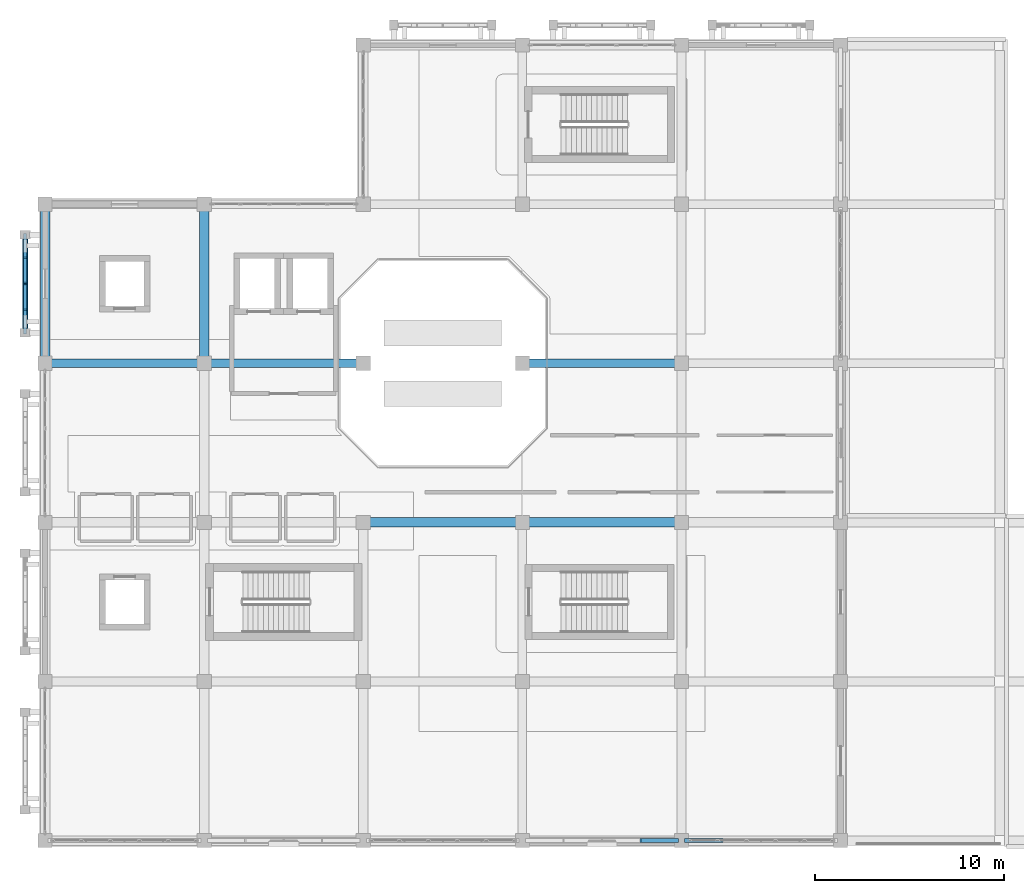
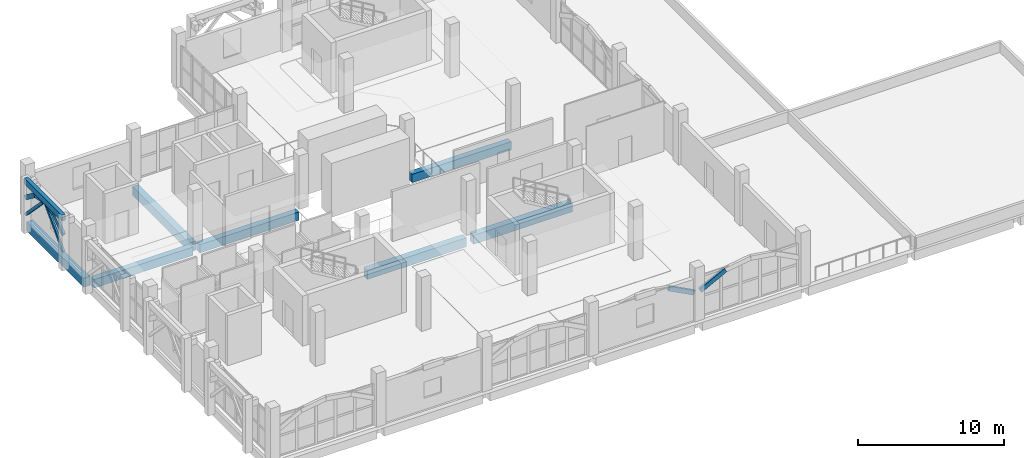
# One storey, part 9 of 34: 8 beams, 8 members.
"""IFC4 building model written with IfcOpenShell, lengths in metres."""

from ifc_helpers import new_model, si_unit, direction, frame, origin, origin_2d, place, context, subcontext, project, spatial, rectangle, extrude, material, material_profile, profile_set, type_object, element, save


model = new_model("IFC4")

# Units and contexts
model_context = context("Model", 3, precision=1e-05, world=origin(), true_north=direction((0.0, 1.0)))
body_context = subcontext(model_context, "Body", "Model", "MODEL_VIEW")
ifc_project = project(units=[si_unit("LENGTHUNIT", "METRE"), si_unit("AREAUNIT", "SQUARE_METRE"), si_unit("VOLUMEUNIT", "CUBIC_METRE"), si_unit("PLANEANGLEUNIT", "RADIAN"), si_unit("MASSUNIT", "GRAM", prefix="KILO")], contexts=[model_context])

# Site, building, storey
site_placement = place(None, origin())
site = spatial("IfcSite", under=ifc_project, at=site_placement, CompositionType="ELEMENT")
building_placement = place(site_placement, origin())
building = spatial("IfcBuilding", under=site, at=building_placement, Name="Xazarin Passage Department Store", CompositionType="ELEMENT")
storey_placement = place(building_placement, frame((0.0, 0.0, 18.89990234375)))
storey = spatial("IfcBuildingStorey", under=building, at=storey_placement, Name="L04", CompositionType="ELEMENT", Elevation=18.89990234375)

# Beams
ifc_material_1 = material(Name="Concrete C35/45", Category="concrete")
ifc_material_profile_1 = material_profile(ifc_material_1, rectangle(XDim=0.449951171875, YDim=0.699951171875, at=origin_2d()), Name="RC 450x700")
ifc_profile_set_1 = profile_set([ifc_material_profile_1], Name="Concrete C35/45")
beam_type_1 = type_object("IfcBeamType", Name="STR-BM-G450x700", PredefinedType="BEAM", material=ifc_profile_set_1)
for number, where, z_axis, x_axis, name in (
    (1, (0.280029296875, 93.199951171875, -0.64990234375), (1.0, 0.0, 0.0), (0.0, 1.0, 0.0), "L04 Grid Beam N/1-2"),
    (2, (8.679931640625, 93.199951171875, -0.64990234375), (1.0, 0.0, 0.0), (0.0, 1.0, 0.0), "L04 Grid Beam N/2-3"),
    (3, (25.47998046875, 93.199951171875, -0.64990234375), (1.0, 0.0, 0.0), (0.0, 1.0, 0.0), "L04 Grid Beam N/4-5"),
):
    element("IfcBeam", number, at=place(storey_placement, frame(where, z_axis=z_axis, x_axis=x_axis)), inside=storey, type_object=beam_type_1, Name=name, PredefinedType="BEAM", context=body_context, shape_type="SweptSolid", body=[
        extrude(rectangle(XDim=0.449951171875, YDim=0.699951171875, at=origin_2d()), origin(), (0.0, 0.0, 1.0), 7.840087890625),
    ])
ifc_material_profile_2 = material_profile(ifc_material_1, rectangle(XDim=0.300048828125, YDim=0.5, at=origin_2d()), Name="RC 300x500")
ifc_profile_set_2 = profile_set([ifc_material_profile_2], Name="Concrete C35/45")
beam_type_2 = type_object("IfcBeamType", Name="STR-BM-LN300x500", PredefinedType="LINTEL", material=ifc_profile_set_2)
beam_1_placement = place(storey_placement, frame((-1.050048828125, 94.820068359375, 4.25), z_axis=(0.0, 1.0, 0.0), x_axis=(-1.0, 0.0, 0.0)))
element("IfcBeam", 4, at=beam_1_placement, inside=storey, type_object=beam_type_2, Name="L04 V1 Colonnade Spandrel Beam 013", PredefinedType="LINTEL", context=body_context, shape_type="SweptSolid", body=[
    extrude(rectangle(XDim=0.300048828125, YDim=0.5, at=origin_2d()), origin(), (0.0, 0.0, 1.0), 5.159912109375),
])
ifc_material_profile_3 = material_profile(ifc_material_1, rectangle(XDim=0.5, YDim=0.75, at=origin_2d()), Name="RC 500x750")
ifc_profile_set_3 = profile_set([ifc_material_profile_3], Name="Concrete C35/45")
beam_type_3 = type_object("IfcBeamType", Name="STR-BM-SP500x750", PredefinedType="SPANDREL", material=ifc_profile_set_3)
beam_2_placement = place(storey_placement, frame((17.080078125, 84.800048828125, -0.6748046875), z_axis=(1.0, 0.0, 0.0), x_axis=(0.0, 1.0, 0.0)))
element("IfcBeam", 5, at=beam_2_placement, inside=storey, type_object=beam_type_3, Name="L04 Grid Beam M/3-4", PredefinedType="SPANDREL", context=body_context, shape_type="SweptSolid", body=[
    extrude(rectangle(XDim=0.5, YDim=0.75, at=origin_2d()), origin(), (0.0, 0.0, 1.0), 7.83984375),
])
for number, where, z_axis, x_axis, name in (
    (6, (25.47998046875, 84.800048828125, -0.6748046875), (1.0, 0.0, 0.0), (0.0, 1.0, 0.0), "L04 Grid Beam M/4-5"),
    (7, (0.0, 93.47998046875, -0.6748046875), (0.0, 1.0, 0.0), (-1.0, 0.0, 0.0), "L04 Grid Beam 1/N-P"),
    (8, (8.39990234375, 93.47998046875, -0.6748046875), (0.0, 1.0, 0.0), (-1.0, 0.0, 0.0), "L04 Grid Beam 2/N-P"),
):
    element("IfcBeam", number, at=place(storey_placement, frame(where, z_axis=z_axis, x_axis=x_axis)), inside=storey, type_object=beam_type_3, Name=name, PredefinedType="SPANDREL", context=body_context, shape_type="SweptSolid", body=[
        extrude(rectangle(XDim=0.5, YDim=0.75, at=origin_2d()), origin(), (0.0, 0.0, 1.0), 7.840087890625),
    ])

# Members
ifc_material_2 = material(Name="Concrete C40/50", Category="concrete")
ifc_material_profile_4 = material_profile(ifc_material_2, rectangle(XDim=0.199951171875, YDim=0.360107421875, at=origin_2d()), Name="RC 200x360")
ifc_profile_set_4 = profile_set([ifc_material_profile_4], Name="Concrete C40/50")
member_type_1 = type_object("IfcMemberType", Name="STR-MEM-ARC360", PredefinedType="CHORD", material=ifc_profile_set_4)
member_1_placement = place(storey_placement, frame((-1.050048828125, 94.820068359375, 2.830078125), z_axis=(0.0, 0.79440903847, 0.607383140692), x_axis=(-1.0, 0.0, 0.0)))
element("IfcMember", 9, at=member_1_placement, inside=storey, type_object=member_type_1, Name="L04 V1 Pierced Lattice Curved Arch 013.1", PredefinedType="CHORD", context=body_context, shape_type="SweptSolid", body=[
    extrude(rectangle(XDim=0.199951171875, YDim=0.360107421875, at=origin_2d()), origin(), (0.0, 0.0, 1.0), 1.623779296875),
])
member_2_placement = place(storey_placement, frame((-1.050048828125, 96.110107421875, 3.81640625), z_axis=(0.0, 0.979737268571, 0.2002870055), x_axis=(-1.0, 0.0, 0.0)))
element("IfcMember", 10, at=member_2_placement, inside=storey, type_object=member_type_1, Name="L04 V1 Pierced Lattice Curved Arch 013.2", PredefinedType="CHORD", context=body_context, shape_type="SweptSolid", body=[
    extrude(rectangle(XDim=0.199951171875, YDim=0.360107421875, at=origin_2d()), origin(), (0.0, 0.0, 1.0), 1.31640625),
])
member_3_placement = place(storey_placement, frame((-1.050048828125, 97.39990234375, 4.080078125), z_axis=(0.0, 0.979744705887, -0.200250621188), x_axis=(-1.0, 0.0, 0.0)))
element("IfcMember", 11, at=member_3_placement, inside=storey, type_object=member_type_1, Name="L04 V1 Pierced Lattice Curved Arch 013.3", PredefinedType="CHORD", context=body_context, shape_type="SweptSolid", body=[
    extrude(rectangle(XDim=0.199951171875, YDim=0.360107421875, at=origin_2d()), origin(), (0.0, 0.0, 1.0), 1.316650390625),
])
member_4_placement = place(storey_placement, frame((-1.050048828125, 98.68994140625, 3.81640625), z_axis=(0.0, 0.79440903847, -0.607383140692), x_axis=(-1.0, 0.0, 0.0)))
element("IfcMember", 12, at=member_4_placement, inside=storey, type_object=member_type_1, Name="L04 V1 Pierced Lattice Curved Arch 013.4", PredefinedType="CHORD", context=body_context, shape_type="SweptSolid", body=[
    extrude(rectangle(XDim=0.199951171875, YDim=0.360107421875, at=origin_2d()), origin(), (0.0, 0.0, 1.0), 1.623779296875),
])
member_5_placement = place(storey_placement, frame((31.375, 68.0, 3.2705078125), z_axis=(0.88473311603, 0.0, -0.466097965454), x_axis=(0.0, 1.0, 0.0)))
element("IfcMember", 13, at=member_5_placement, inside=storey, type_object=member_type_1, Name="L04 V1 Upper Setback Pierced Arch 023.4", PredefinedType="CHORD", context=body_context, shape_type="SweptSolid", body=[
    extrude(rectangle(XDim=0.199951171875, YDim=0.360107421875, at=origin_2d()), origin(), (0.0, 0.0, 1.0), 2.232421875),
])
member_6_placement = place(storey_placement, frame((33.85009765625, 68.0, 2.22998046875), z_axis=(0.884709354127, 0.0, 0.466143066793), x_axis=(0.0, 1.0, 0.0)))
element("IfcMember", 14, at=member_6_placement, inside=storey, type_object=member_type_1, Name="L04 V1 Upper Setback Pierced Arch 024.1", PredefinedType="CHORD", context=body_context, shape_type="SweptSolid", body=[
    extrude(rectangle(XDim=0.199951171875, YDim=0.360107421875, at=origin_2d()), origin(), (0.0, 0.0, 1.0), 2.232177734375),
])
ifc_material_profile_5 = material_profile(ifc_material_2, rectangle(XDim=0.159912109375, YDim=0.219970703125, at=origin_2d()), Name="RC 160x220")
ifc_profile_set_5 = profile_set([ifc_material_profile_5], Name="Concrete C40/50")
member_type_2 = type_object("IfcMemberType", Name="STR-MEM-TRC220", PredefinedType="CHORD", material=ifc_profile_set_5)
for number, where, z_axis, x_axis, name in (
    (15, (-1.050048828125, 97.39990234375, 4.080078125), (0.0, -0.693524382622, -0.72043315492), (1.0, 0.0, 0.0), "L04 V1 Upper Lattice Tracery Arch 013L"),
    (16, (-1.050048828125, 97.39990234375, 4.080078125), (0.0, 0.693558444435, -0.720400363793), (-1.0, 0.0, 0.0), "L04 V1 Upper Lattice Tracery Arch 013R"),
):
    element("IfcMember", number, at=place(storey_placement, frame(where, z_axis=z_axis, x_axis=x_axis)), inside=storey, type_object=member_type_2, Name=name, PredefinedType="CHORD", context=body_context, shape_type="SweptSolid", body=[
        extrude(rectangle(XDim=0.159912109375, YDim=0.219970703125, at=origin_2d()), origin(), (0.0, 0.0, 1.0), 3.719970703125),
    ])

save(model, "model.ifc")
